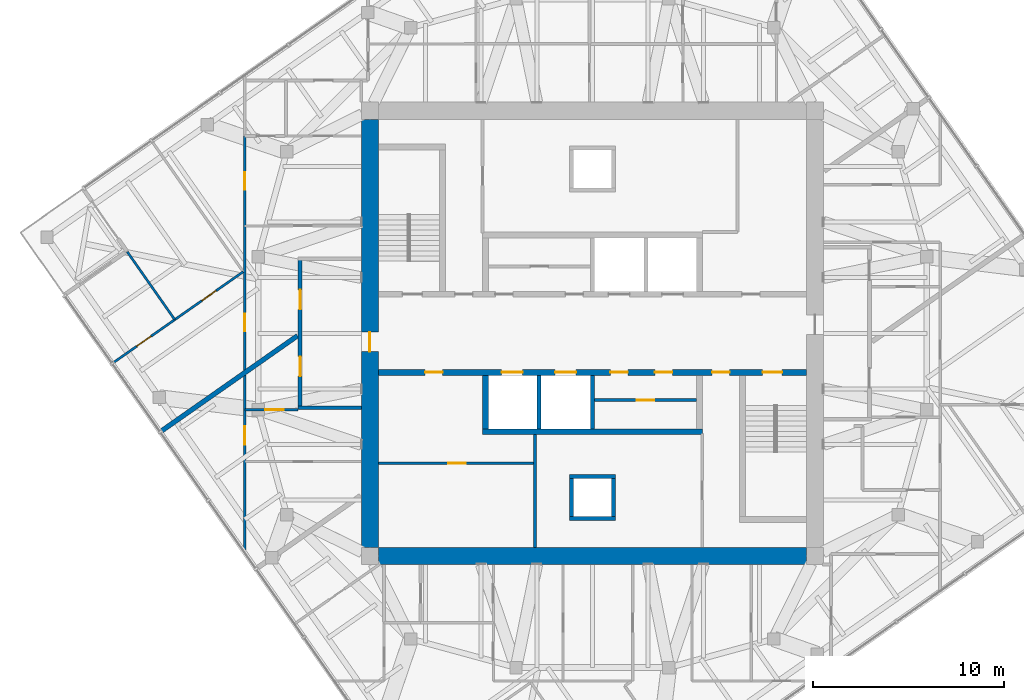
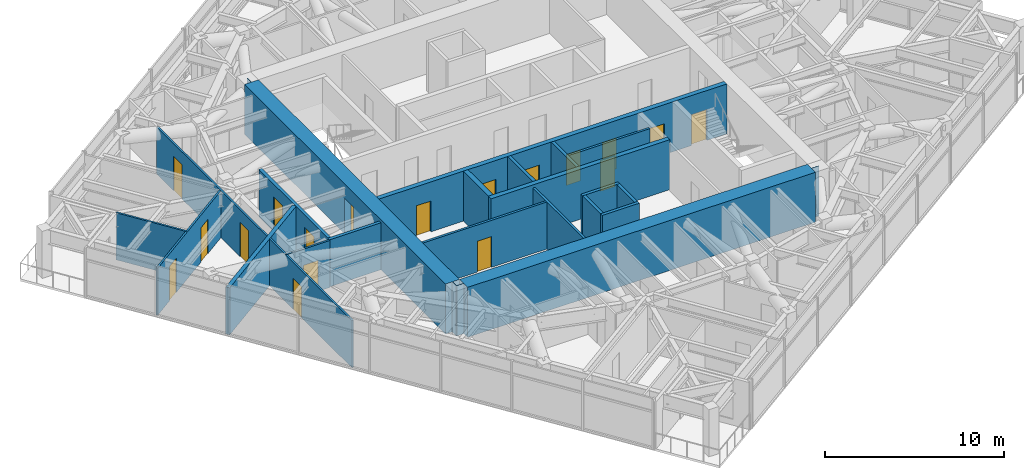
# One storey, part 10 of 15: 21 walls, 18 doors, 18 openings.
"""IFC4 building model written with IfcOpenShell, lengths in metres."""

from ifc_helpers import new_model, si_unit, direction, frame, frame_2d, origin, place, context, subcontext, project, spatial, polyline, rectangle, outline, extrude, material, layer, layer_set, type_object, element, fill, save


model = new_model("IFC4")

# Units and contexts
model_context = context("Model", 3, precision=1e-05, world=origin(), true_north=direction((0.0, 1.0)))
body_context = subcontext(model_context, "Body", "Model", "MODEL_VIEW")
ifc_project = project(units=[si_unit("LENGTHUNIT", "METRE"), si_unit("AREAUNIT", "SQUARE_METRE"), si_unit("VOLUMEUNIT", "CUBIC_METRE"), si_unit("PLANEANGLEUNIT", "RADIAN"), si_unit("MASSUNIT", "GRAM", prefix="KILO")], contexts=[model_context])

# Site, building, storey
site_placement = place(None, origin())
site = spatial("IfcSite", under=ifc_project, at=site_placement, CompositionType="ELEMENT")
building_placement = place(site_placement, origin())
building = spatial("IfcBuilding", under=site, at=building_placement, Name="Torsade Residences", CompositionType="ELEMENT")
storey_placement = place(building_placement, frame((0.0, 0.0, 264.199951171875)))
storey = spatial("IfcBuildingStorey", under=building, at=storey_placement, Name="L73", CompositionType="ELEMENT", Elevation=264.199951171875)

# Wall, openings, doors
ifc_material_1 = material(Name="Concrete 80 MPa", Category="concrete")
ifc_layer_1 = layer(ifc_material_1, 0.300048828125)
ifc_layer_set_1 = layer_set([ifc_layer_1], Name="Concrete 80 MPa")
wall_type_1 = type_object("IfcWallType", Name="CORE INTERNAL WALL 300", PredefinedType="SHEAR", material=ifc_layer_set_1)
wall_1_placement = place(storey_placement, frame((51.199951171875, 27.949951171875, 0.0), z_axis=(0.0, 0.0, 1.0), x_axis=(-1.0, 0.0, 0.0)))
wall_1 = element("IfcWall", 1, at=wall_1_placement, inside=storey, type_object=wall_type_1, Name="Core wall LS L73", PredefinedType="SHEAR", context=body_context, shape_type="SweptSolid", body=[
    extrude(rectangle(XDim=22.39990234375, YDim=0.300048828125, at=frame_2d((11.199951171875, 0.0))), origin(), (0.0, 0.0, 1.0), 3.400146484375),
])
opening_1_placement = place(wall_1_placement, frame((19.0400390625, 0.0, 0.0)))
opening_1 = element("IfcOpeningElement", 2, at=opening_1_placement, cuts=wall_1, Name="Opening D06", PredefinedType="OPENING", context=body_context, shape_type="SweptSolid", body=[
    extrude(rectangle(XDim=0.919921875, YDim=2.10009765625, at=frame_2d((0.4599609375, 1.050048828125))), frame((0.0, 0.159912109375, 0.0), z_axis=(0.0, -1.0, 0.0), x_axis=(1.0, 0.0, 0.0)), (0.0, 0.0, 1.0), 0.320068359375),
])
opening_2_placement = place(wall_1_placement, frame((1.264892578125, 0.0, 0.0)))
opening_2 = element("IfcOpeningElement", 3, at=opening_2_placement, cuts=wall_1, Name="Opening D03", PredefinedType="OPENING", context=body_context, shape_type="SweptSolid", body=[
    extrude(rectangle(XDim=1.02001953125, YDim=2.10009765625, at=frame_2d((0.510009765625, 1.050048828125))), frame((0.0, 0.159912109375, 0.0), z_axis=(0.0, -1.0, 0.0), x_axis=(1.0, 0.0, 0.0)), (0.0, 0.0, 1.0), 0.320068359375),
])
opening_3_placement = place(wall_1_placement, frame((4.014892578125, 0.0, 0.0)))
opening_3 = element("IfcOpeningElement", 4, at=opening_3_placement, cuts=wall_1, Name="Opening D06", PredefinedType="OPENING", context=body_context, shape_type="SweptSolid", body=[
    extrude(rectangle(XDim=0.919921875, YDim=2.10009765625, at=frame_2d((0.4599609375, 1.050048828125))), frame((0.0, 0.159912109375, 0.0), z_axis=(0.0, -1.0, 0.0), x_axis=(1.0, 0.0, 0.0)), (0.0, 0.0, 1.0), 0.320068359375),
])
opening_4_placement = place(wall_1_placement, frame((9.340087890625, 0.0, 0.0)))
opening_4 = element("IfcOpeningElement", 5, at=opening_4_placement, cuts=wall_1, Name="Opening D06", PredefinedType="OPENING", context=body_context, shape_type="SweptSolid", body=[
    extrude(rectangle(XDim=0.919921875, YDim=2.10009765625, at=frame_2d((0.4599609375, 1.050048828125))), frame((0.0, 0.159912109375, 0.0), z_axis=(0.0, -1.0, 0.0), x_axis=(1.0, 0.0, 0.0)), (0.0, 0.0, 1.0), 0.320068359375),
])
opening_5_placement = place(wall_1_placement, frame((7.014892578125, 0.0, 0.0)))
opening_5 = element("IfcOpeningElement", 6, at=opening_5_placement, cuts=wall_1, Name="Opening D06", PredefinedType="OPENING", context=body_context, shape_type="SweptSolid", body=[
    extrude(rectangle(XDim=0.919921875, YDim=2.10009765625, at=frame_2d((0.4599609375, 1.050048828125))), frame((0.0, 0.159912109375, 0.0), z_axis=(0.0, -1.0, 0.0), x_axis=(1.0, 0.0, 0.0)), (0.0, 0.0, 1.0), 0.320068359375),
])
opening_6_placement = place(wall_1_placement, frame((12.050048828125, 0.0, 0.0)))
opening_6 = element("IfcOpeningElement", 7, at=opening_6_placement, cuts=wall_1, Name="Opening LD", PredefinedType="OPENING", context=body_context, shape_type="SweptSolid", body=[
    extrude(rectangle(XDim=1.10009765625, YDim=2.10009765625, at=frame_2d((0.550048828125, 1.050048828125))), frame((0.0, 0.159912109375, 0.0), z_axis=(0.0, -1.0, 0.0), x_axis=(1.0, 0.0, 0.0)), (0.0, 0.0, 1.0), 0.320068359375),
])
opening_7_placement = place(wall_1_placement, frame((14.85009765625, 0.0, 0.0)))
opening_7 = element("IfcOpeningElement", 8, at=opening_7_placement, cuts=wall_1, Name="Opening LD", PredefinedType="OPENING", context=body_context, shape_type="SweptSolid", body=[
    extrude(rectangle(XDim=1.10009765625, YDim=2.10009765625, at=frame_2d((0.550048828125, 1.050048828125))), frame((0.0, 0.159912109375, 0.0), z_axis=(0.0, -1.0, 0.0), x_axis=(1.0, 0.0, 0.0)), (0.0, 0.0, 1.0), 0.320068359375),
])
ifc_material_2 = material(Name="Steel-framed fire door", Category="steel")
door_type_1 = type_object("IfcDoorType", Name="FIRE DOOR 1020", OperationType="NOTDEFINED", PredefinedType="DOOR", material=ifc_material_2)
door_1_placement = place(opening_2_placement, origin())
door_1 = element("IfcDoor", 9, at=door_1_placement, inside=storey, type_object=door_type_1, Name="Exit door to fire-isolated stair ST2 L73", OperationType="SINGLE_SWING_RIGHT", OverallHeight=2.10009765625, OverallWidth=1.02001953125, PredefinedType="DOOR", context=body_context, shape_type="SweptSolid", body=[
    extrude(rectangle(XDim=1.02001953125, YDim=2.10009765625, at=frame_2d((0.510009765625, 1.050048828125))), frame((0.0, 0.02490234375, 0.0), z_axis=(0.0, -1.0, 0.0), x_axis=(1.0, 0.0, 0.0)), (0.0, 0.0, 1.0), 0.050048828125),
])
fill(opening_2, door_1)
ifc_material_3 = material(Name="Steel-framed fire door", Category="steel")
door_type_2 = type_object("IfcDoorType", Name="FIRE DOOR 920", OperationType="NOTDEFINED", PredefinedType="DOOR", material=ifc_material_3)
door_2_placement = place(opening_1_placement, origin())
door_2 = element("IfcDoor", 10, at=door_2_placement, inside=storey, type_object=door_type_2, Name="Door Lift lobby to Cleaner store", OperationType="SINGLE_SWING_LEFT", OverallHeight=2.10009765625, OverallWidth=0.919921875, PredefinedType="DOOR", context=body_context, shape_type="SweptSolid", body=[
    extrude(rectangle(XDim=0.919921875, YDim=2.10009765625, at=frame_2d((0.4599609375, 1.050048828125))), frame((0.0, 0.02490234375, 0.0), z_axis=(0.0, -1.0, 0.0), x_axis=(1.0, 0.0, 0.0)), (0.0, 0.0, 1.0), 0.050048828125),
])
fill(opening_1, door_2)
door_3_placement = place(opening_3_placement, origin())
door_3 = element("IfcDoor", 11, at=door_3_placement, inside=storey, type_object=door_type_2, Name="Door Lift lobby to Communications equipment store", OperationType="SINGLE_SWING_RIGHT", OverallHeight=2.10009765625, OverallWidth=0.919921875, PredefinedType="DOOR", context=body_context, shape_type="SweptSolid", body=[
    extrude(rectangle(XDim=0.919921875, YDim=2.10009765625, at=frame_2d((0.4599609375, 1.050048828125))), frame((0.0, 0.02490234375, 0.0), z_axis=(0.0, -1.0, 0.0), x_axis=(1.0, 0.0, 0.0)), (0.0, 0.0, 1.0), 0.050048828125),
])
fill(opening_3, door_3)
door_4_placement = place(opening_4_placement, origin())
door_4 = element("IfcDoor", 12, at=door_4_placement, inside=storey, type_object=door_type_2, Name="Door Lift lobby to Linen store L73C", OperationType="SINGLE_SWING_LEFT", OverallHeight=2.10009765625, OverallWidth=0.919921875, PredefinedType="DOOR", context=body_context, shape_type="SweptSolid", body=[
    extrude(rectangle(XDim=0.919921875, YDim=2.10009765625, at=frame_2d((0.4599609375, 1.050048828125))), frame((0.0, 0.02490234375, 0.0), z_axis=(0.0, -1.0, 0.0), x_axis=(1.0, 0.0, 0.0)), (0.0, 0.0, 1.0), 0.050048828125),
])
fill(opening_4, door_4)
door_5_placement = place(opening_5_placement, origin())
door_5 = element("IfcDoor", 13, at=door_5_placement, inside=storey, type_object=door_type_2, Name="Door Lift lobby to Linen store L73C", OperationType="SINGLE_SWING_RIGHT", OverallHeight=2.10009765625, OverallWidth=0.919921875, PredefinedType="DOOR", context=body_context, shape_type="SweptSolid", body=[
    extrude(rectangle(XDim=0.919921875, YDim=2.10009765625, at=frame_2d((0.4599609375, 1.050048828125))), frame((0.0, 0.02490234375, 0.0), z_axis=(0.0, -1.0, 0.0), x_axis=(1.0, 0.0, 0.0)), (0.0, 0.0, 1.0), 0.050048828125),
])
fill(opening_5, door_5)
ifc_material_4 = material(Name="Stainless steel lift landing door", Category="steel")
door_type_3 = type_object("IfcDoorType", Name="LIFT LANDING DOOR 1100", OperationType="SLIDING_TO_LEFT", PredefinedType="DOOR", material=ifc_material_4)
door_6_placement = place(opening_6_placement, origin())
door_6 = element("IfcDoor", 14, at=door_6_placement, inside=storey, type_object=door_type_3, Name="Lift LB3 landing door L73", OperationType="SLIDING_TO_LEFT", OverallHeight=2.10009765625, OverallWidth=1.10009765625, PredefinedType="DOOR", context=body_context, shape_type="SweptSolid", body=[
    extrude(rectangle(XDim=1.10009765625, YDim=2.10009765625, at=frame_2d((0.550048828125, 1.050048828125))), frame((0.0, 0.02490234375, 0.0), z_axis=(0.0, -1.0, 0.0), x_axis=(1.0, 0.0, 0.0)), (0.0, 0.0, 1.0), 0.050048828125),
])
fill(opening_6, door_6)
door_7_placement = place(opening_7_placement, origin())
door_7 = element("IfcDoor", 15, at=door_7_placement, inside=storey, type_object=door_type_3, Name="Lift FL2 landing door L73", OperationType="SLIDING_TO_LEFT", OverallHeight=2.10009765625, OverallWidth=1.10009765625, PredefinedType="DOOR", context=body_context, shape_type="SweptSolid", body=[
    extrude(rectangle(XDim=1.10009765625, YDim=2.10009765625, at=frame_2d((0.550048828125, 1.050048828125))), frame((0.0, 0.02490234375, 0.0), z_axis=(0.0, -1.0, 0.0), x_axis=(1.0, 0.0, 0.0)), (0.0, 0.0, 1.0), 0.050048828125),
])
fill(opening_7, door_7)

# Walls
wall_2_placement = place(storey_placement, frame((45.75, 24.85009765625, 0.0), z_axis=(0.0, 0.0, 1.0), x_axis=(-1.0, 0.0, 0.0)))
element("IfcWall", 16, at=wall_2_placement, inside=storey, type_object=wall_type_1, Name="Core wall BS L73", PredefinedType="SHEAR", context=body_context, shape_type="SweptSolid", body=[
    extrude(rectangle(XDim=11.5, YDim=0.300048828125, at=frame_2d((5.75, 0.0))), origin(), (0.0, 0.0, 1.0), 3.400146484375),
])
wall_3_placement = place(storey_placement, frame((34.39990234375, 27.800048828125, 0.0), z_axis=(0.0, 0.0, 1.0), x_axis=(0.0, -1.0, 0.0)))
element("IfcWall", 17, at=wall_3_placement, inside=storey, type_object=wall_type_1, Name="Core wall DS4 L73", PredefinedType="SHEAR", context=body_context, shape_type="SweptSolid", body=[
    extrude(rectangle(XDim=2.800048828125, YDim=0.300048828125, at=frame_2d((1.39990234375, 0.0))), origin(), (0.0, 0.0, 1.0), 3.400146484375),
])
ifc_material_5 = material(Name="Concrete 80 MPa", Category="concrete")
ifc_layer_2 = layer(ifc_material_5, 0.89990234375)
ifc_layer_set_2 = layer_set([ifc_layer_2], Name="Concrete 80 MPa")
wall_type_2 = type_object("IfcWallType", Name="CORE WALL 900", PredefinedType="SHEAR", material=ifc_layer_set_2)
wall_4_placement = place(storey_placement, frame((51.199951171875, 18.35009765625, 0.0), z_axis=(0.0, 0.0, 1.0), x_axis=(-1.0, 0.0, 0.0)))
element("IfcWall", 18, at=wall_4_placement, inside=storey, type_object=wall_type_2, Name="Core wall S L73", PredefinedType="SHEAR", context=body_context, shape_type="SweptSolid", body=[
    extrude(outline(polyline([(0.0, -0.449951171875), (22.39990234375, -0.449951171875), (22.39990234375, -0.02490234375), (22.849853515625, -0.02490234375), (22.849853515625, 0.02490234375), (22.39990234375, 0.02490234375), (22.39990234375, 0.449951171875), (0.0, 0.449951171875), (0.0, 0.02490234375), (-0.449951171875, 0.02490234375), (-0.449951171875, -0.02490234375), (0.0, -0.02490234375), (0.0, -0.449951171875)])), origin(), (0.0, 0.0, 1.0), 3.400146484375),
])

# Wall, opening, door
wall_5_placement = place(storey_placement, frame((28.35009765625, 41.199951171875, 0.0), z_axis=(0.0, 0.0, 1.0), x_axis=(0.0, -1.0, 0.0)))
wall_5 = element("IfcWall", 19, at=wall_5_placement, inside=storey, type_object=wall_type_2, Name="Core wall W L73", PredefinedType="SHEAR", context=body_context, shape_type="SweptSolid", body=[
    extrude(outline(polyline([(0.0, -0.449951171875), (22.39990234375, -0.449951171875), (22.39990234375, -0.02490234375), (22.849853515625, -0.02490234375), (22.849853515625, 0.02490234375), (22.39990234375, 0.02490234375), (22.39990234375, 0.449951171875), (0.0, 0.449951171875), (0.0, 0.02490234375), (-0.449951171875, 0.02490234375), (-0.449951171875, -0.02490234375), (0.0, -0.02490234375), (0.0, -0.449951171875)])), origin(), (0.0, 0.0, 1.0), 3.400146484375),
])
opening_8_placement = place(wall_5_placement, frame((11.139892578125, 0.0, 0.0)))
opening_8 = element("IfcOpeningElement", 20, at=opening_8_placement, cuts=wall_5, Name="Opening D04", PredefinedType="OPENING", context=body_context, shape_type="SweptSolid", body=[
    extrude(rectangle(XDim=1.02001953125, YDim=2.39990234375, at=frame_2d((0.510009765625, 1.199951171875))), frame((0.0, 0.4599609375, 0.0), z_axis=(0.0, -1.0, 0.0), x_axis=(1.0, 0.0, 0.0)), (0.0, 0.0, 1.0), 0.919921875),
])
ifc_material_6 = material(Name="Steel-framed fire door", Category="steel")
door_type_4 = type_object("IfcDoorType", Name="LOBBY SMOKE DOOR 1020x2400", OperationType="NOTDEFINED", PredefinedType="DOOR", material=ifc_material_6)
door_8_placement = place(opening_8_placement, origin())
door_8 = element("IfcDoor", 21, at=door_8_placement, inside=storey, type_object=door_type_4, Name="Lift lobby door W L73", OperationType="SINGLE_SWING_RIGHT", OverallHeight=2.39990234375, OverallWidth=1.02001953125, PredefinedType="DOOR", context=body_context, shape_type="SweptSolid", body=[
    extrude(rectangle(XDim=1.02001953125, YDim=2.39990234375, at=frame_2d((0.510009765625, 1.199951171875))), frame((0.0, 0.02490234375, 0.0), z_axis=(0.0, -1.0, 0.0), x_axis=(1.0, 0.0, 0.0)), (0.0, 0.0, 1.0), 0.050048828125),
])
fill(opening_8, door_8)

# Wall, openings, doors
ifc_material_7 = material(Name="Plasterboard on steel stud", Category="steel")
ifc_layer_3 = layer(ifc_material_7, 0.199951171875)
ifc_layer_set_3 = layer_set([ifc_layer_3], Name="Plasterboard on steel stud")
wall_type_3 = type_object("IfcWallType", Name="CORRIDOR WALL 200", PredefinedType="PARTITIONING", material=ifc_layer_set_3)
wall_6_placement = place(storey_placement, frame((24.699951171875, 26.10009765625, 0.0), z_axis=(0.0, 0.0, 1.0), x_axis=(0.0, 1.0, 0.0)))
wall_6 = element("IfcWall", 22, at=wall_6_placement, inside=storey, type_object=wall_type_3, Name="Corridor wall L73", PredefinedType="PARTITIONING", context=body_context, shape_type="SweptSolid", body=[
    extrude(rectangle(XDim=7.7998046875, YDim=0.199951171875, at=frame_2d((3.89990234375, 0.0))), origin(), (0.0, 0.0, 1.0), 3.199951171875),
])
opening_9_placement = place(wall_6_placement, frame((1.661865234375, 0.0, 0.0)))
opening_9 = element("IfcOpeningElement", 23, at=opening_9_placement, cuts=wall_6, Name="Opening D01", PredefinedType="OPENING", context=body_context, shape_type="SweptSolid", body=[
    extrude(rectangle(XDim=1.02001953125, YDim=2.340087890625, at=frame_2d((0.510009765625, 1.169921875))), frame((0.0, 0.10986328125, 0.0), z_axis=(0.0, -1.0, 0.0), x_axis=(1.0, 0.0, 0.0)), (0.0, 0.0, 1.0), 0.219970703125),
])
opening_10_placement = place(wall_6_placement, frame((5.15673828125, 0.0, 0.0)))
opening_10 = element("IfcOpeningElement", 24, at=opening_10_placement, cuts=wall_6, Name="Opening D01", PredefinedType="OPENING", context=body_context, shape_type="SweptSolid", body=[
    extrude(rectangle(XDim=1.02001953125, YDim=2.340087890625, at=frame_2d((0.510009765625, 1.169921875))), frame((0.0, 0.10986328125, 0.0), z_axis=(0.0, -1.0, 0.0), x_axis=(1.0, 0.0, 0.0)), (0.0, 0.0, 1.0), 0.219970703125),
])
ifc_material_8 = material(Name="Solid-core timber fire door", Category="wood")
door_type_5 = type_object("IfcDoorType", Name="APARTMENT ENTRY DOOR 1020x2340", OperationType="NOTDEFINED", PredefinedType="DOOR", material=ifc_material_8)
door_9_placement = place(opening_9_placement, origin())
door_9 = element("IfcDoor", 25, at=door_9_placement, inside=storey, type_object=door_type_5, Name="Door Residential corridor to Kitchen and dining", OperationType="SINGLE_SWING_RIGHT", OverallHeight=2.340087890625, OverallWidth=1.02001953125, PredefinedType="DOOR", context=body_context, shape_type="SweptSolid", body=[
    extrude(rectangle(XDim=1.02001953125, YDim=2.340087890625, at=frame_2d((0.510009765625, 1.169921875))), frame((0.0, 0.02490234375, 0.0), z_axis=(0.0, -1.0, 0.0), x_axis=(1.0, 0.0, 0.0)), (0.0, 0.0, 1.0), 0.050048828125),
])
fill(opening_9, door_9)
door_10_placement = place(opening_10_placement, origin())
door_10 = element("IfcDoor", 26, at=door_10_placement, inside=storey, type_object=door_type_5, Name="Door Residential corridor to Kitchen and dining", OperationType="SINGLE_SWING_LEFT", OverallHeight=2.340087890625, OverallWidth=1.02001953125, PredefinedType="DOOR", context=body_context, shape_type="SweptSolid", body=[
    extrude(rectangle(XDim=1.02001953125, YDim=2.340087890625, at=frame_2d((0.510009765625, 1.169921875))), frame((0.0, 0.02490234375, 0.0), z_axis=(0.0, -1.0, 0.0), x_axis=(1.0, 0.0, 0.0)), (0.0, 0.0, 1.0), 0.050048828125),
])
fill(opening_10, door_10)

# Walls
wall_7_placement = place(storey_placement, frame((27.89990234375, 26.10009765625, 0.0), z_axis=(0.0, 0.0, 1.0), x_axis=(-1.0, 0.0, 0.0)))
element("IfcWall", 27, at=wall_7_placement, inside=storey, type_object=wall_type_3, Name="Corridor wall L73", PredefinedType="PARTITIONING", context=body_context, shape_type="SweptSolid", body=[
    extrude(rectangle(XDim=3.2998046875, YDim=0.199951171875, at=frame_2d((1.64990234375, 0.0))), origin(), (0.0, 0.0, 1.0), 3.199951171875),
])
ifc_material_9 = material(Name="Reinforced blockwork", Category="masonry")
ifc_layer_4 = layer(ifc_material_9, 0.199951171875)
ifc_layer_set_4 = layer_set([ifc_layer_4], Name="Reinforced blockwork")
wall_type_4 = type_object("IfcWallType", Name="LIFT SHAFT DIVIDING WALL 200", PredefinedType="SOLIDWALL", material=ifc_layer_set_4)
for number, where, z_axis, x_axis, name in (
    (28, (40.0, 27.800048828125, 0.0), (0.0, 0.0, 1.0), (0.0, -1.0, 0.0), "Core wall DS2 L73"),
    (29, (37.199951171875, 27.800048828125, 0.0), (0.0, 0.0, 1.0), (0.0, -1.0, 0.0), "Core wall DS3 L73"),
):
    element("IfcWall", number, at=place(storey_placement, frame(where, z_axis=z_axis, x_axis=x_axis)), inside=storey, type_object=wall_type_4, Name=name, PredefinedType="SOLIDWALL", context=body_context, shape_type="SweptSolid", body=[
        extrude(rectangle(XDim=2.800048828125, YDim=0.199951171875, at=frame_2d((1.39990234375, 0.0))), origin(), (0.0, 0.0, 1.0), 3.400146484375),
    ])

# Wall, opening, door
ifc_material_10 = material(Name="Plasterboard on steel stud", Category="steel")
ifc_layer_5 = layer(ifc_material_10, 0.1201171875)
ifc_layer_set_5 = layer_set([ifc_layer_5], Name="Plasterboard on steel stud")
wall_type_5 = type_object("IfcWallType", Name="PARTITION 120", PredefinedType="PARTITIONING", material=ifc_layer_set_5)
wall_8_placement = place(storey_placement, frame((24.60009765625, 26.0, 0.0), z_axis=(0.0, 0.0, 1.0), x_axis=(-1.0, 0.0, 0.0)))
wall_8 = element("IfcWall", 30, at=wall_8_placement, inside=storey, type_object=wall_type_5, Name="Partition L73", PredefinedType="PARTITIONING", context=body_context, shape_type="SweptSolid", body=[
    extrude(rectangle(XDim=2.800048828125, YDim=0.1201171875, at=frame_2d((1.39990234375, 0.0))), origin(), (0.0, 0.0, 1.0), 3.199951171875),
])
opening_11_placement = place(wall_8_placement, frame((0.77001953125, 0.0, 0.0)))
opening_11 = element("IfcOpeningElement", 31, at=opening_11_placement, cuts=wall_8, Name="Opening D05", PredefinedType="OPENING", context=body_context, shape_type="SweptSolid", body=[
    extrude(rectangle(XDim=0.9599609375, YDim=2.10009765625, at=frame_2d((0.47998046875, 1.050048828125))), frame((0.0, 0.070068359375, 0.0), z_axis=(0.0, -1.0, 0.0), x_axis=(1.0, 0.0, 0.0)), (0.0, 0.0, 1.0), 0.14013671875),
])
ifc_material_11 = material(Name="Hollow-core timber door in a steel cavity frame", Category="steel")
door_type_6 = type_object("IfcDoorType", Name="BATHROOM CAVITY SLIDING DOOR 960", OperationType="SLIDING_TO_LEFT", PredefinedType="DOOR", material=ifc_material_11)
door_11_placement = place(opening_11_placement, origin())
door_11 = element("IfcDoor", 32, at=door_11_placement, inside=storey, type_object=door_type_6, Name="Door Kitchen and dining to Bathroom", OperationType="SLIDING_TO_LEFT", OverallHeight=2.10009765625, OverallWidth=0.9599609375, PredefinedType="DOOR", context=body_context, shape_type="SweptSolid", body=[
    extrude(rectangle(XDim=0.9599609375, YDim=2.10009765625, at=frame_2d((0.47998046875, 1.050048828125))), frame((0.0, 0.02490234375, 0.0), z_axis=(0.0, -1.0, 0.0), x_axis=(1.0, 0.0, 0.0)), (0.0, 0.0, 1.0), 0.050048828125),
])
fill(opening_11, door_11)

# Wall, openings, doors
wall_9_placement = place(storey_placement, frame((21.800048828125, 18.577880859375, 0.0), z_axis=(0.0, 0.0, 1.0), x_axis=(0.0, 1.0, 0.0)))
wall_9 = element("IfcWall", 33, at=wall_9_placement, inside=storey, type_object=wall_type_5, Name="Partition L73", PredefinedType="PARTITIONING", context=body_context, shape_type="SweptSolid", body=[
    extrude(rectangle(XDim=21.750244140625, YDim=0.1201171875, at=frame_2d((10.875, 0.0))), origin(), (0.0, 0.0, 1.0), 3.199951171875),
])
opening_12_placement = place(wall_9_placement, frame((11.529541015625, 0.0, 0.0)))
opening_12 = element("IfcOpeningElement", 34, at=opening_12_placement, cuts=wall_9, Name="Opening D02", PredefinedType="OPENING", context=body_context, shape_type="SweptSolid", body=[
    extrude(rectangle(XDim=0.919921875, YDim=2.340087890625, at=frame_2d((0.4599609375, 1.169921875))), frame((0.0, 0.070068359375, 0.0), z_axis=(0.0, -1.0, 0.0), x_axis=(1.0, 0.0, 0.0)), (0.0, 0.0, 1.0), 0.14013671875),
])
opening_13_placement = place(wall_9_placement, frame((5.5849609375, 0.0, 0.0)))
opening_13 = element("IfcOpeningElement", 35, at=opening_13_placement, cuts=wall_9, Name="Opening D05", PredefinedType="OPENING", context=body_context, shape_type="SweptSolid", body=[
    extrude(rectangle(XDim=0.9599609375, YDim=2.10009765625, at=frame_2d((0.47998046875, 1.050048828125))), frame((0.0, 0.070068359375, 0.0), z_axis=(0.0, -1.0, 0.0), x_axis=(1.0, 0.0, 0.0)), (0.0, 0.0, 1.0), 0.14013671875),
])
opening_14_placement = place(wall_9_placement, frame((18.935791015625, 0.0, 0.0)))
opening_14 = element("IfcOpeningElement", 36, at=opening_14_placement, cuts=wall_9, Name="Opening D02", PredefinedType="OPENING", context=body_context, shape_type="SweptSolid", body=[
    extrude(rectangle(XDim=0.919921875, YDim=2.340087890625, at=frame_2d((0.4599609375, 1.169921875))), frame((0.0, 0.070068359375, 0.0), z_axis=(0.0, -1.0, 0.0), x_axis=(1.0, 0.0, 0.0)), (0.0, 0.0, 1.0), 0.14013671875),
])
door_12_placement = place(opening_13_placement, origin())
door_12 = element("IfcDoor", 37, at=door_12_placement, inside=storey, type_object=door_type_6, Name="Door Bathroom to Studio living and sleeping", OperationType="SLIDING_TO_LEFT", OverallHeight=2.10009765625, OverallWidth=0.9599609375, PredefinedType="DOOR", context=body_context, shape_type="SweptSolid", body=[
    extrude(rectangle(XDim=0.9599609375, YDim=2.10009765625, at=frame_2d((0.47998046875, 1.050048828125))), frame((0.0, 0.02490234375, 0.0), z_axis=(0.0, -1.0, 0.0), x_axis=(1.0, 0.0, 0.0)), (0.0, 0.0, 1.0), 0.050048828125),
])
fill(opening_13, door_12)
ifc_material_12 = material(Name="Hollow-core timber door", Category="wood")
door_type_7 = type_object("IfcDoorType", Name="INTERNAL DOOR 920x2340", OperationType="NOTDEFINED", PredefinedType="DOOR", material=ifc_material_12)
door_13_placement = place(opening_12_placement, origin())
door_13 = element("IfcDoor", 38, at=door_13_placement, inside=storey, type_object=door_type_7, Name="Door Kitchen and dining to Bedroom 2", OperationType="SINGLE_SWING_RIGHT", OverallHeight=2.340087890625, OverallWidth=0.919921875, PredefinedType="DOOR", context=body_context, shape_type="SweptSolid", body=[
    extrude(rectangle(XDim=0.919921875, YDim=2.340087890625, at=frame_2d((0.4599609375, 1.169921875))), frame((0.0, 0.02490234375, 0.0), z_axis=(0.0, -1.0, 0.0), x_axis=(1.0, 0.0, 0.0)), (0.0, 0.0, 1.0), 0.050048828125),
])
fill(opening_12, door_13)
door_14_placement = place(opening_14_placement, origin())
door_14 = element("IfcDoor", 39, at=door_14_placement, inside=storey, type_object=door_type_7, Name="Door Scullery to Bedroom 4", OperationType="SINGLE_SWING_LEFT", OverallHeight=2.340087890625, OverallWidth=0.919921875, PredefinedType="DOOR", context=body_context, shape_type="SweptSolid", body=[
    extrude(rectangle(XDim=0.919921875, YDim=2.340087890625, at=frame_2d((0.4599609375, 1.169921875))), frame((0.0, 0.02490234375, 0.0), z_axis=(0.0, -1.0, 0.0), x_axis=(1.0, 0.0, 0.0)), (0.0, 0.0, 1.0), 0.050048828125),
])
fill(opening_14, door_14)

wall_10_placement = place(storey_placement, frame((21.720458984375, 33.22314453125, 0.0), z_axis=(0.0, 0.0, 1.0), x_axis=(-0.819152099525, -0.573576357466, 0.0)))
wall_10 = element("IfcWall", 40, at=wall_10_placement, inside=storey, type_object=wall_type_5, Name="Partition L73", PredefinedType="PARTITIONING", context=body_context, shape_type="SweptSolid", body=[
    extrude(rectangle(XDim=8.3349609375, YDim=0.1201171875, at=frame_2d((4.16748046875, 0.0))), origin(), (0.0, 0.0, 1.0), 3.199951171875),
])
opening_15_placement = place(wall_10_placement, frame((1.7275390625, 0.0, 0.0)))
opening_15 = element("IfcOpeningElement", 41, at=opening_15_placement, cuts=wall_10, Name="Opening D02", PredefinedType="OPENING", context=body_context, shape_type="SweptSolid", body=[
    extrude(rectangle(XDim=0.919921875, YDim=2.340087890625, at=frame_2d((0.4599609375, 1.169921875))), frame((0.0, 0.070068359375, 0.0), z_axis=(0.0, -1.0, 0.0), x_axis=(1.0, 0.0, 0.0)), (0.0, 0.0, 1.0), 0.14013671875),
])
opening_16_placement = place(wall_10_placement, frame((5.889892578125, 0.0, 0.0)))
opening_16 = element("IfcOpeningElement", 42, at=opening_16_placement, cuts=wall_10, Name="Opening D02", PredefinedType="OPENING", context=body_context, shape_type="SweptSolid", body=[
    extrude(rectangle(XDim=0.919921875, YDim=2.340087890625, at=frame_2d((0.4599609375, 1.169921875))), frame((0.0, 0.070068359375, 0.0), z_axis=(0.0, -1.0, 0.0), x_axis=(1.0, 0.0, 0.0)), (0.0, 0.0, 1.0), 0.14013671875),
])
door_15_placement = place(opening_15_placement, origin())
door_15 = element("IfcDoor", 43, at=door_15_placement, inside=storey, type_object=door_type_7, Name="Door Bedroom 2 to Bedroom 1", OperationType="SINGLE_SWING_LEFT", OverallHeight=2.340087890625, OverallWidth=0.919921875, PredefinedType="DOOR", context=body_context, shape_type="SweptSolid", body=[
    extrude(rectangle(XDim=0.919921875, YDim=2.340087890625, at=frame_2d((0.4599609375, 1.169921875))), frame((0.0, 0.02490234375, 0.0), z_axis=(0.0, -1.0, 0.0), x_axis=(1.0, 0.0, 0.0)), (0.0, 0.0, 1.0), 0.050048828125),
])
fill(opening_15, door_15)
door_16_placement = place(opening_16_placement, origin())
door_16 = element("IfcDoor", 44, at=door_16_placement, inside=storey, type_object=door_type_7, Name="Door Bedroom 2 to Media room", OperationType="SINGLE_SWING_RIGHT", OverallHeight=2.340087890625, OverallWidth=0.919921875, PredefinedType="DOOR", context=body_context, shape_type="SweptSolid", body=[
    extrude(rectangle(XDim=0.919921875, YDim=2.340087890625, at=frame_2d((0.4599609375, 1.169921875))), frame((0.0, 0.02490234375, 0.0), z_axis=(0.0, -1.0, 0.0), x_axis=(1.0, 0.0, 0.0)), (0.0, 0.0, 1.0), 0.050048828125),
])
fill(opening_16, door_16)

# Walls
wall_11_placement = place(storey_placement, frame((18.13671875, 30.7138671875, 0.0), z_axis=(0.0, 0.0, 1.0), x_axis=(-0.573594626521, 0.819139307094, 0.0)))
element("IfcWall", 45, at=wall_11_placement, inside=storey, type_object=wall_type_5, Name="Partition L73", PredefinedType="PARTITIONING", context=body_context, shape_type="SweptSolid", body=[
    extrude(rectangle(XDim=4.3349609375, YDim=0.1201171875, at=frame_2d((2.16748046875, 0.0))), origin(), (0.0, 0.0, 1.0), 3.199951171875),
])
ifc_material_13 = material(Name="Masonry-lined stud party wall", Category="masonry")
ifc_layer_6 = layer(ifc_material_13, 0.25)
ifc_layer_set_6 = layer_set([ifc_layer_6], Name="Masonry-lined stud party wall")
wall_type_6 = type_object("IfcWallType", Name="PARTY WALL 250", PredefinedType="PARTITIONING", material=ifc_layer_set_6)
wall_12_placement = place(storey_placement, frame((17.369384765625, 24.835693359375, 0.0), z_axis=(0.0, 0.0, 1.0), x_axis=(0.819152220062, 0.573576185321, 0.0)))
element("IfcWall", 46, at=wall_12_placement, inside=storey, type_object=wall_type_6, Name="Party wall L73", PredefinedType="PARTITIONING", context=body_context, shape_type="SweptSolid", body=[
    extrude(rectangle(XDim=8.779296875, YDim=0.25, at=frame_2d((4.3896484375, 0.0))), origin(), (0.0, 0.0, 1.0), 3.199951171875),
])
ifc_material_14 = material(Name="Reinforced blockwork", Category="masonry")
ifc_layer_7 = layer(ifc_material_14, 0.199951171875)
ifc_layer_set_7 = layer_set([ifc_layer_7], Name="Reinforced blockwork")
wall_type_7 = type_object("IfcWallType", Name="RISER SHAFT WALL 200", PredefinedType="SOLIDWALL", material=ifc_layer_set_7)
for number, where, z_axis, x_axis, name in (
    (47, (38.89990234375, 22.39990234375, 0.0), (0.0, 0.0, 1.0), (0.0, -1.0, 0.0), "Core wall RS2a L73"),
    (48, (41.10009765625, 22.39990234375, 0.0), (0.0, 0.0, 1.0), (0.0, -1.0, 0.0), "Core wall RS2b L73"),
):
    element("IfcWall", number, at=place(storey_placement, frame(where, z_axis=z_axis, x_axis=x_axis)), inside=storey, type_object=wall_type_7, Name=name, PredefinedType="SOLIDWALL", context=body_context, shape_type="SweptSolid", body=[
        extrude(rectangle(XDim=2.0, YDim=0.199951171875, at=frame_2d((1.0, 0.0))), origin(), (0.0, 0.0, 1.0), 3.400146484375),
    ])
for number, where, z_axis, x_axis, name in (
    (49, (38.800048828125, 22.5, 0.0), (0.0, 0.0, 1.0), (1.0, 0.0, 0.0), "Core wall RS2c L73"),
    (50, (38.800048828125, 20.300048828125, 0.0), (0.0, 0.0, 1.0), (1.0, 0.0, 0.0), "Core wall RS2d L73"),
):
    element("IfcWall", number, at=place(storey_placement, frame(where, z_axis=z_axis, x_axis=x_axis)), inside=storey, type_object=wall_type_7, Name=name, PredefinedType="SOLIDWALL", context=body_context, shape_type="SweptSolid", body=[
        extrude(rectangle(XDim=2.39990234375, YDim=0.199951171875, at=frame_2d((1.199951171875, 0.0))), origin(), (0.0, 0.0, 1.0), 3.400146484375),
    ])
ifc_material_15 = material(Name="Reinforced blockwork", Category="masonry")
ifc_layer_8 = layer(ifc_material_15, 0.14990234375)
ifc_layer_set_8 = layer_set([ifc_layer_8], Name="Reinforced blockwork")
wall_type_8 = type_object("IfcWallType", Name="SERVICE ROOM WALL 150", PredefinedType="SOLIDWALL", material=ifc_layer_set_8)
wall_13_placement = place(storey_placement, frame((37.0, 18.800048828125, 0.0), z_axis=(0.0, 0.0, 1.0), x_axis=(0.0, 1.0, 0.0)))
element("IfcWall", 51, at=wall_13_placement, inside=storey, type_object=wall_type_8, Name="Service room wall L73", PredefinedType="SOLIDWALL", context=body_context, shape_type="SweptSolid", body=[
    extrude(rectangle(XDim=5.89990234375, YDim=0.14990234375, at=frame_2d((2.949951171875, 0.0))), origin(), (0.0, 0.0, 1.0), 3.199951171875),
])

# Wall, opening, door
wall_14_placement = place(storey_placement, frame((37.0, 23.199951171875, 0.0), z_axis=(0.0, 0.0, 1.0), x_axis=(-1.0, 0.0, 0.0)))
wall_14 = element("IfcWall", 52, at=wall_14_placement, inside=storey, type_object=wall_type_8, Name="Service room wall L73", PredefinedType="SOLIDWALL", context=body_context, shape_type="SweptSolid", body=[
    extrude(rectangle(XDim=8.199951171875, YDim=0.14990234375, at=frame_2d((4.10009765625, 0.0))), origin(), (0.0, 0.0, 1.0), 3.199951171875),
])
opening_17_placement = place(wall_14_placement, frame((3.639892578125, 0.0, 0.0)))
opening_17 = element("IfcOpeningElement", 53, at=opening_17_placement, cuts=wall_14, Name="Opening D06", PredefinedType="OPENING", context=body_context, shape_type="SweptSolid", body=[
    extrude(rectangle(XDim=0.919921875, YDim=2.10009765625, at=frame_2d((0.4599609375, 1.050048828125))), frame((0.0, 0.0849609375, 0.0), z_axis=(0.0, -1.0, 0.0), x_axis=(1.0, 0.0, 0.0)), (0.0, 0.0, 1.0), 0.169921875),
])
door_17_placement = place(opening_17_placement, origin())
door_17 = element("IfcDoor", 54, at=door_17_placement, inside=storey, type_object=door_type_2, Name="Door Cleaner store to Hose reel and hydrant store", OperationType="SINGLE_SWING_LEFT", OverallHeight=2.10009765625, OverallWidth=0.919921875, PredefinedType="DOOR", context=body_context, shape_type="SweptSolid", body=[
    extrude(rectangle(XDim=0.919921875, YDim=2.10009765625, at=frame_2d((0.4599609375, 1.050048828125))), frame((0.0, 0.02490234375, 0.0), z_axis=(0.0, -1.0, 0.0), x_axis=(1.0, 0.0, 0.0)), (0.0, 0.0, 1.0), 0.050048828125),
])
fill(opening_17, door_17)

wall_15_placement = place(storey_placement, frame((40.10009765625, 26.5, 0.0), z_axis=(0.0, 0.0, 1.0), x_axis=(1.0, 0.0, 0.0)))
wall_15 = element("IfcWall", 55, at=wall_15_placement, inside=storey, type_object=wall_type_8, Name="Service room wall L73", PredefinedType="SOLIDWALL", context=body_context, shape_type="SweptSolid", body=[
    extrude(rectangle(XDim=5.349853515625, YDim=0.14990234375, at=frame_2d((2.6748046875, 0.0))), origin(), (0.0, 0.0, 1.0), 3.199951171875),
])
opening_18_placement = place(wall_15_placement, frame((2.215087890625, 0.0, 0.0)))
opening_18 = element("IfcOpeningElement", 56, at=opening_18_placement, cuts=wall_15, Name="Opening D06", PredefinedType="OPENING", context=body_context, shape_type="SweptSolid", body=[
    extrude(rectangle(XDim=0.919921875, YDim=2.10009765625, at=frame_2d((0.4599609375, 1.050048828125))), frame((0.0, 0.0849609375, 0.0), z_axis=(0.0, -1.0, 0.0), x_axis=(1.0, 0.0, 0.0)), (0.0, 0.0, 1.0), 0.169921875),
])
door_18_placement = place(opening_18_placement, origin())
door_18 = element("IfcDoor", 57, at=door_18_placement, inside=storey, type_object=door_type_2, Name="Door Linen store L73C to Records store L73D", OperationType="SINGLE_SWING_LEFT", OverallHeight=2.10009765625, OverallWidth=0.919921875, PredefinedType="DOOR", context=body_context, shape_type="SweptSolid", body=[
    extrude(rectangle(XDim=0.919921875, YDim=2.10009765625, at=frame_2d((0.4599609375, 1.050048828125))), frame((0.0, 0.02490234375, 0.0), z_axis=(0.0, -1.0, 0.0), x_axis=(1.0, 0.0, 0.0)), (0.0, 0.0, 1.0), 0.050048828125),
])
fill(opening_18, door_18)

save(model, "model.ifc")
